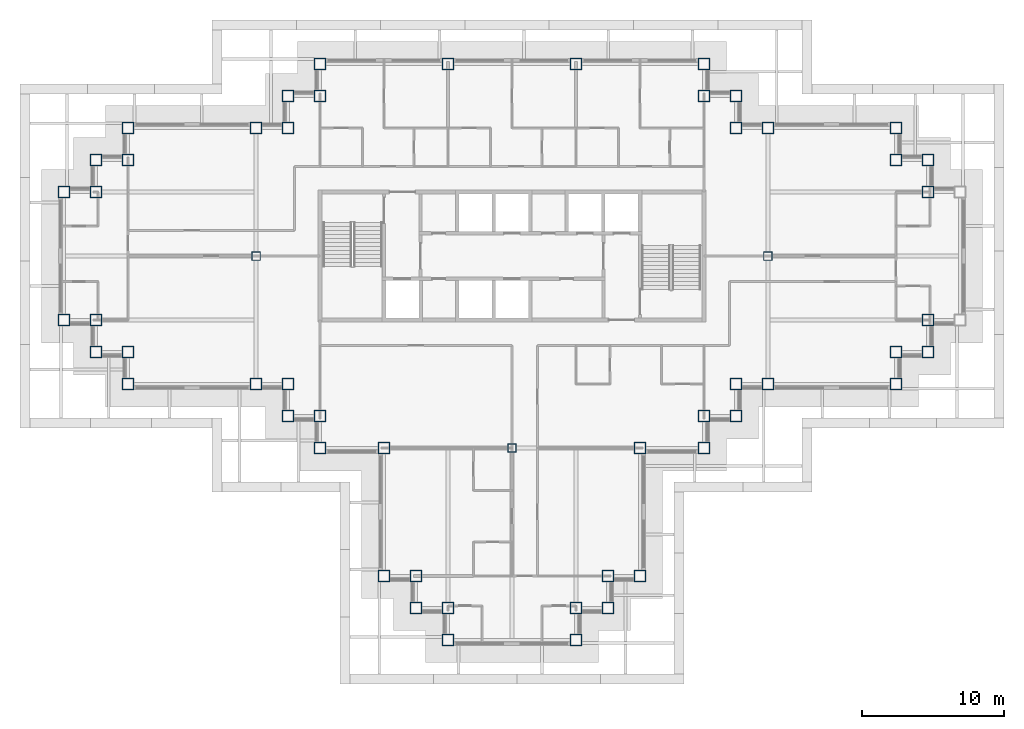
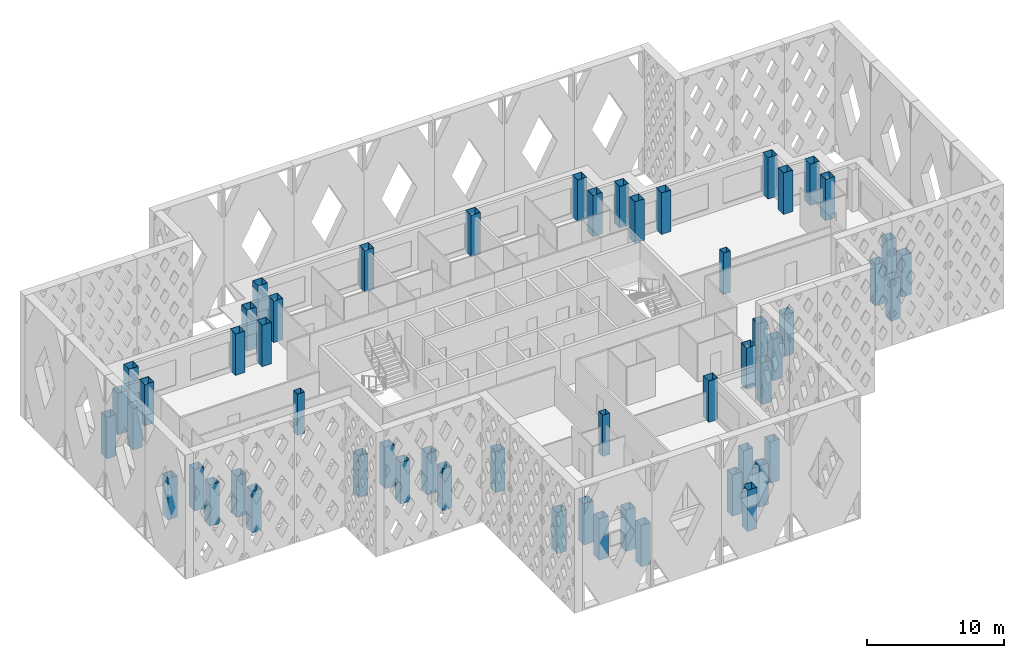
# One storey, part 1 of 18: 55 columns.
"""IFC4 building model written with IfcOpenShell, lengths in metres."""

from ifc_helpers import new_model, si_unit, direction, frame, origin, origin_2d, place, context, subcontext, project, spatial, hollow_rectangle, extrude, material, material_profile, profile_set, type_object, element, save


model = new_model("IFC4")

# Units and contexts
model_context = context("Model", 3, precision=1e-05, world=origin(), true_north=direction((0.0, 1.0)))
body_context = subcontext(model_context, "Body", "Model", "MODEL_VIEW")
ifc_project = project(units=[si_unit("LENGTHUNIT", "METRE"), si_unit("AREAUNIT", "SQUARE_METRE"), si_unit("VOLUMEUNIT", "CUBIC_METRE"), si_unit("PLANEANGLEUNIT", "RADIAN"), si_unit("MASSUNIT", "GRAM", prefix="KILO")], contexts=[model_context])

# Site, building, storey
site_placement = place(None, origin())
site = spatial("IfcSite", under=ifc_project, at=site_placement, CompositionType="ELEMENT")
building_placement = place(site_placement, origin())
building = spatial("IfcBuilding", under=site, at=building_placement, Name="Caravel Reach Hotel and Residences", CompositionType="ELEMENT")
storey_placement = place(building_placement, frame((0.0, 0.0, 165.39990234375)))
storey = spatial("IfcBuildingStorey", under=building, at=storey_placement, Name="L41", CompositionType="ELEMENT", Elevation=165.39990234375)

# Columns
ifc_material_1 = material(Name="Concrete-filled steel tube Q390B with Concrete C60 infill", Category="concrete")
ifc_material_profile_1 = material_profile(ifc_material_1, hollow_rectangle(XDim=0.60009765625, YDim=0.60009765625, WallThickness=0.02001953125, at=origin_2d()), Name="RHS 600x600x20")
ifc_profile_set_1 = profile_set([ifc_material_profile_1], Name="Concrete-filled steel tube Q390B with Concrete C60 infill")
column_type_1 = type_object("IfcColumnType", Name="CFT 600x600 Q390B C60", PredefinedType="COLUMN", material=ifc_profile_set_1)
for number, where, z_axis, x_axis, name in (
    (1, (31.5, 13.5, 0.0), (0.0, 0.0, 1.0), (1.0, 0.0, 0.0), "C8 column"),
    (2, (13.5, 27.0, 0.0), (0.0, 0.0, 1.0), (1.0, 0.0, 0.0), "C8 column"),
    (3, (49.5, 27.0, 0.0), (0.0, 0.0, 1.0), (1.0, 0.0, 0.0), "C8 column"),
):
    element("IfcColumn", number, at=place(storey_placement, frame(where, z_axis=z_axis, x_axis=x_axis)), inside=storey, type_object=column_type_1, Name=name, PredefinedType="COLUMN", context=body_context, shape_type="SweptSolid", body=[
        extrude(hollow_rectangle(XDim=0.60009765625, YDim=0.60009765625, WallThickness=0.02001953125, at=origin_2d()), origin(), (0.0, 0.0, 1.0), 3.7001953125),
    ])
ifc_material_2 = material(Name="Concrete-filled steel tube Q390B with Concrete C60 infill", Category="concrete")
ifc_material_profile_2 = material_profile(ifc_material_2, hollow_rectangle(XDim=0.800048828125, YDim=0.800048828125, WallThickness=0.02490234375, at=origin_2d()), Name="RHS 800x800x25")
ifc_profile_set_2 = profile_set([ifc_material_profile_2], Name="Concrete-filled steel tube Q390B with Concrete C60 infill")
column_type_2 = type_object("IfcColumnType", Name="CFT 800x800 Q390B C60", PredefinedType="COLUMN", material=ifc_profile_set_2)
for number, where, z_axis, x_axis, name in (
    (4, (22.5, 4.5, 0.0), (0.0, 0.0, 1.0), (1.0, 0.0, 0.0), "C5 column"),
    (5, (24.75, 4.5, 0.0), (0.0, 0.0, 1.0), (1.0, 0.0, 0.0), "C5 column"),
    (6, (24.75, 2.25, 0.0), (0.0, 0.0, 1.0), (1.0, 0.0, 0.0), "C5 column"),
    (7, (27.0, 2.25, 0.0), (0.0, 0.0, 1.0), (1.0, 0.0, 0.0), "C5 column"),
    (8, (27.0, 0.0, 0.0), (0.0, 0.0, 1.0), (1.0, 0.0, 0.0), "C5 column"),
    (9, (36.0, 0.0, 0.0), (0.0, 0.0, 1.0), (1.0, 0.0, 0.0), "C5 column"),
    (10, (36.0, 2.25, 0.0), (0.0, 0.0, 1.0), (1.0, 0.0, 0.0), "C5 column"),
    (11, (38.25, 2.25, 0.0), (0.0, 0.0, 1.0), (1.0, 0.0, 0.0), "C5 column"),
    (12, (38.25, 4.5, 0.0), (0.0, 0.0, 1.0), (1.0, 0.0, 0.0), "C5 column"),
    (13, (40.5, 4.5, 0.0), (0.0, 0.0, 1.0), (1.0, 0.0, 0.0), "C5 column"),
    (14, (40.5, 13.5, 0.0), (0.0, 0.0, 1.0), (1.0, 0.0, 0.0), "C5 column"),
    (15, (45.0, 13.5, 0.0), (0.0, 0.0, 1.0), (1.0, 0.0, 0.0), "C5 column"),
    (16, (45.0, 15.75, 0.0), (0.0, 0.0, 1.0), (1.0, 0.0, 0.0), "C5 column"),
    (17, (47.25, 15.75, 0.0), (0.0, 0.0, 1.0), (1.0, 0.0, 0.0), "C5 column"),
    (18, (47.25, 18.0, 0.0), (0.0, 0.0, 1.0), (1.0, 0.0, 0.0), "C5 column"),
    (19, (49.5, 18.0, 0.0), (0.0, 0.0, 1.0), (1.0, 0.0, 0.0), "C5 column"),
    (20, (58.5, 18.0, 0.0), (0.0, 0.0, 1.0), (1.0, 0.0, 0.0), "C5 column"),
    (21, (58.5, 20.25, 0.0), (0.0, 0.0, 1.0), (1.0, 0.0, 0.0), "C5 column"),
    (22, (60.75, 20.25, 0.0), (0.0, 0.0, 1.0), (1.0, 0.0, 0.0), "C5 column"),
    (23, (60.75, 22.5, 0.0), (0.0, 0.0, 1.0), (1.0, 0.0, 0.0), "C5 column"),
    (24, (60.75, 31.5, 0.0), (0.0, 0.0, 1.0), (1.0, 0.0, 0.0), "C5 column"),
    (25, (60.75, 33.75, 0.0), (0.0, 0.0, 1.0), (1.0, 0.0, 0.0), "C5 column"),
    (26, (58.5, 33.75, 0.0), (0.0, 0.0, 1.0), (1.0, 0.0, 0.0), "C5 column"),
    (27, (58.5, 36.0, 0.0), (0.0, 0.0, 1.0), (1.0, 0.0, 0.0), "C5 column"),
    (28, (49.5, 36.0, 0.0), (0.0, 0.0, 1.0), (1.0, 0.0, 0.0), "C5 column"),
    (29, (47.25, 36.0, 0.0), (0.0, 0.0, 1.0), (1.0, 0.0, 0.0), "C5 column"),
    (30, (47.25, 38.25, 0.0), (0.0, 0.0, 1.0), (1.0, 0.0, 0.0), "C5 column"),
    (31, (45.0, 38.25, 0.0), (0.0, 0.0, 1.0), (1.0, 0.0, 0.0), "C5 column"),
    (32, (45.0, 40.5, 0.0), (0.0, 0.0, 1.0), (1.0, 0.0, 0.0), "C5 column"),
    (33, (36.0, 40.5, 0.0), (0.0, 0.0, 1.0), (1.0, 0.0, 0.0), "C5 column"),
    (34, (27.0, 40.5, 0.0), (0.0, 0.0, 1.0), (1.0, 0.0, 0.0), "C5 column"),
    (35, (18.0, 40.5, 0.0), (0.0, 0.0, 1.0), (1.0, 0.0, 0.0), "C5 column"),
    (36, (18.0, 38.25, 0.0), (0.0, 0.0, 1.0), (1.0, 0.0, 0.0), "C5 column"),
    (37, (15.75, 38.25, 0.0), (0.0, 0.0, 1.0), (1.0, 0.0, 0.0), "C5 column"),
    (38, (15.75, 36.0, 0.0), (0.0, 0.0, 1.0), (1.0, 0.0, 0.0), "C5 column"),
    (39, (13.5, 36.0, 0.0), (0.0, 0.0, 1.0), (1.0, 0.0, 0.0), "C5 column"),
    (40, (4.5, 36.0, 0.0), (0.0, 0.0, 1.0), (1.0, 0.0, 0.0), "C5 column"),
    (41, (4.5, 33.75, 0.0), (0.0, 0.0, 1.0), (1.0, 0.0, 0.0), "C5 column"),
    (42, (2.25, 33.75, 0.0), (0.0, 0.0, 1.0), (1.0, 0.0, 0.0), "C5 column"),
    (43, (2.25, 31.5, 0.0), (0.0, 0.0, 1.0), (1.0, 0.0, 0.0), "C5 column"),
    (44, (0.0, 31.5, 0.0), (0.0, 0.0, 1.0), (1.0, 0.0, 0.0), "C5 column"),
    (45, (0.0, 22.5, 0.0), (0.0, 0.0, 1.0), (1.0, 0.0, 0.0), "C5 column"),
    (46, (2.25, 22.5, 0.0), (0.0, 0.0, 1.0), (1.0, 0.0, 0.0), "C5 column"),
    (47, (2.25, 20.25, 0.0), (0.0, 0.0, 1.0), (1.0, 0.0, 0.0), "C5 column"),
    (48, (4.5, 20.25, 0.0), (0.0, 0.0, 1.0), (1.0, 0.0, 0.0), "C5 column"),
    (49, (4.5, 18.0, 0.0), (0.0, 0.0, 1.0), (1.0, 0.0, 0.0), "C5 column"),
    (50, (13.5, 18.0, 0.0), (0.0, 0.0, 1.0), (1.0, 0.0, 0.0), "C5 column"),
    (51, (15.75, 18.0, 0.0), (0.0, 0.0, 1.0), (1.0, 0.0, 0.0), "C5 column"),
    (52, (15.75, 15.75, 0.0), (0.0, 0.0, 1.0), (1.0, 0.0, 0.0), "C5 column"),
    (53, (18.0, 15.75, 0.0), (0.0, 0.0, 1.0), (1.0, 0.0, 0.0), "C5 column"),
    (54, (18.0, 13.5, 0.0), (0.0, 0.0, 1.0), (1.0, 0.0, 0.0), "C5 column"),
    (55, (22.5, 13.5, 0.0), (0.0, 0.0, 1.0), (1.0, 0.0, 0.0), "C5 column"),
):
    element("IfcColumn", number, at=place(storey_placement, frame(where, z_axis=z_axis, x_axis=x_axis)), inside=storey, type_object=column_type_2, Name=name, PredefinedType="COLUMN", context=body_context, shape_type="SweptSolid", body=[
        extrude(hollow_rectangle(XDim=0.800048828125, YDim=0.800048828125, WallThickness=0.02490234375, at=origin_2d()), origin(), (0.0, 0.0, 1.0), 3.7001953125),
    ])

save(model, "model.ifc")
